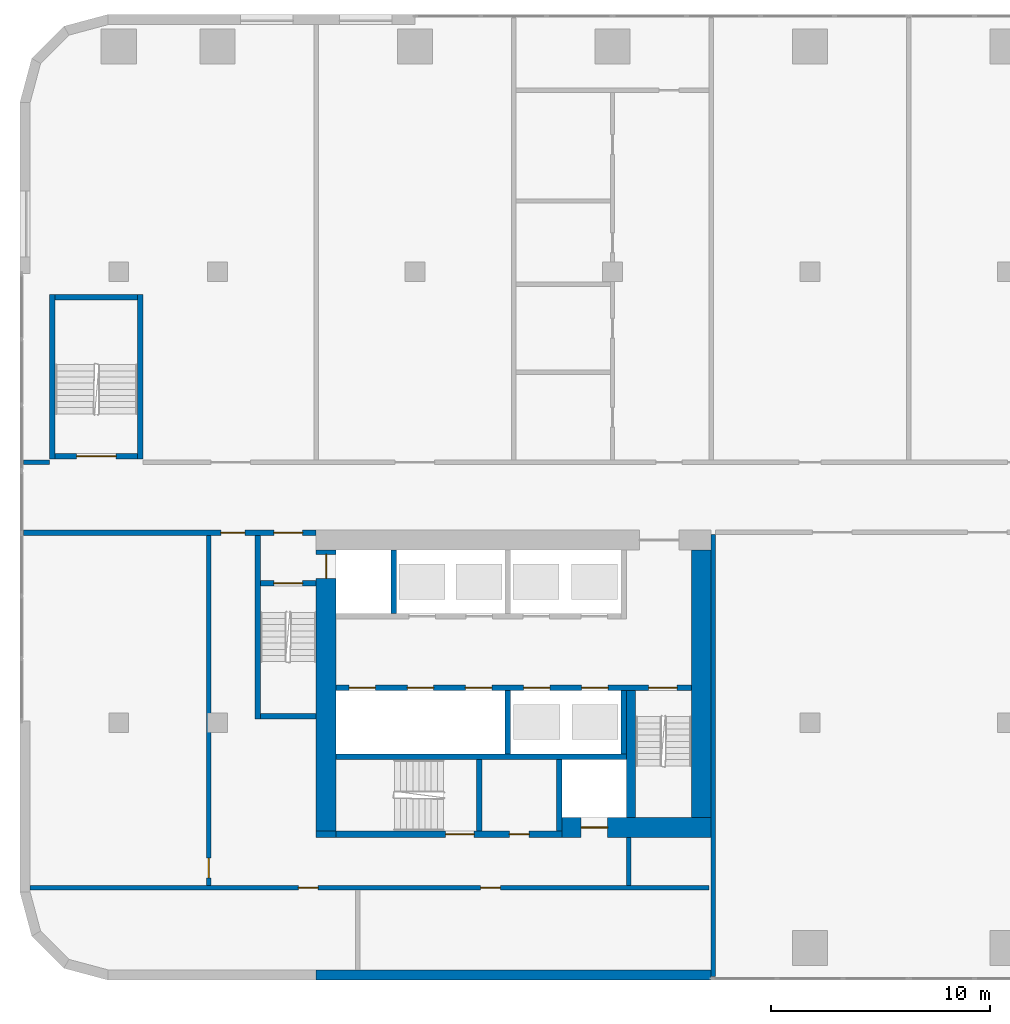
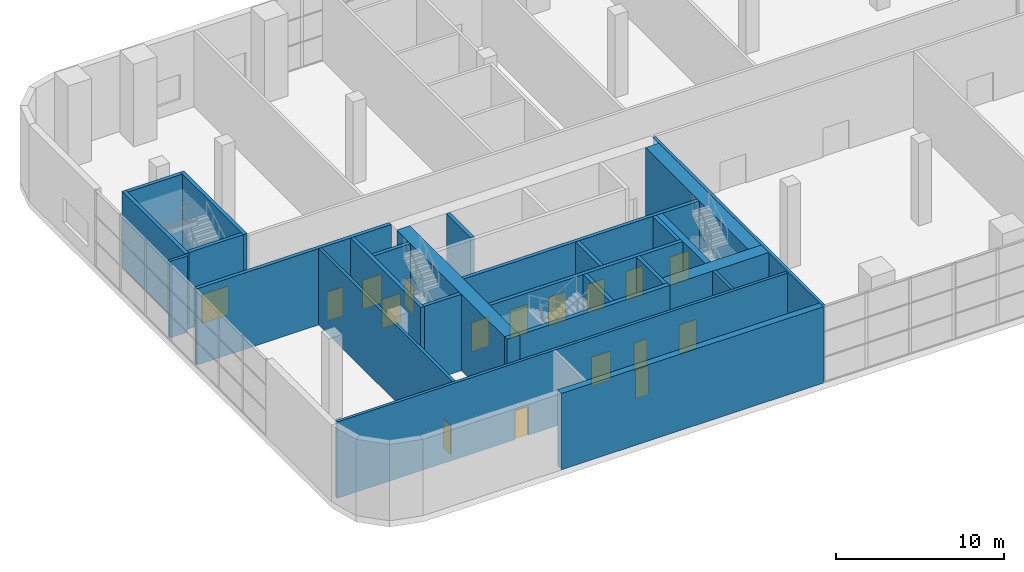
# One storey, part 12 of 27: 27 walls, 17 doors, 17 openings.
"""IFC4 building model written with IfcOpenShell, lengths in metres."""

from ifc_helpers import new_model, si_unit, direction, frame, frame_2d, origin, place, context, subcontext, project, spatial, rectangle, extrude, material, layer, layer_set, type_object, element, fill, save


model = new_model("IFC4")

# Units and contexts
model_context = context("Model", 3, precision=1e-05, world=origin(), true_north=direction((0.0, 1.0)))
body_context = subcontext(model_context, "Body", "Model", "MODEL_VIEW")
ifc_project = project(units=[si_unit("LENGTHUNIT", "METRE"), si_unit("AREAUNIT", "SQUARE_METRE"), si_unit("VOLUMEUNIT", "CUBIC_METRE"), si_unit("PLANEANGLEUNIT", "RADIAN"), si_unit("MASSUNIT", "GRAM", prefix="KILO")], contexts=[model_context])

# Site, building, storey
site_placement = place(None, origin())
site = spatial("IfcSite", under=ifc_project, at=site_placement, CompositionType="ELEMENT")
building_placement = place(site_placement, origin())
building = spatial("IfcBuilding", under=site, at=building_placement, Name="Kajstack Hotel Tower", CompositionType="ELEMENT")
storey_placement = place(building_placement, frame((0.0, 0.0, 11.0)))
storey = spatial("IfcBuildingStorey", under=building, at=storey_placement, Name="L01", CompositionType="ELEMENT", Elevation=11.0)

# Wall, opening, door
ifc_material_1 = material(Name="Concrete C60/75", Category="concrete")
ifc_layer_1 = layer(ifc_material_1, 0.89990234375)
ifc_layer_set_1 = layer_set([ifc_layer_1], Name="Core wall 900")
wall_type_1 = type_object("IfcWallType", Name="Core wall 900", PredefinedType="SHEAR", material=ifc_layer_set_1)
wall_1_placement = place(storey_placement, frame((-20.300048828125, -15.050048828125, 0.0), z_axis=(0.0, 0.0, 1.0), x_axis=(1.0, 0.0, 0.0)))
wall_1 = element("IfcWall", 1, at=wall_1_placement, inside=storey, type_object=wall_type_1, Name="Core wall W RS", PredefinedType="SHEAR", context=body_context, shape_type="SweptSolid", body=[
    extrude(rectangle(XDim=6.800048828125, YDim=0.89990234375, at=frame_2d((3.39990234375, 0.0))), origin(), (0.0, 0.0, 1.0), 5.550048828125),
])
opening_1_placement = place(wall_1_placement, frame((0.875, 0.0, 0.0)))
opening_1 = element("IfcOpeningElement", 2, at=opening_1_placement, cuts=wall_1, Name="Opening LD-SV1", PredefinedType="OPENING", context=body_context, shape_type="SweptSolid", body=[
    extrude(rectangle(XDim=1.199951171875, YDim=2.10009765625, at=frame_2d((0.60009765625, 1.050048828125))), frame((0.0, 0.4599609375, 0.0), z_axis=(0.0, -1.0, 0.0), x_axis=(1.0, 0.0, 0.0)), (0.0, 0.0, 1.0), 0.919921875),
])
ifc_material_2 = material(Name="Stainless steel", Category="steel")
door_type_1 = type_object("IfcDoorType", Name="Lift landing door 1200", OperationType="SLIDING_TO_LEFT", PredefinedType="DOOR", material=ifc_material_2)
door_1_placement = place(opening_1_placement, origin())
door_1 = element("IfcDoor", 3, at=door_1_placement, inside=storey, type_object=door_type_1, Name="Landing door SV1", OperationType="SLIDING_TO_LEFT", OverallHeight=2.10009765625, OverallWidth=1.199951171875, PredefinedType="DOOR", context=body_context, shape_type="SweptSolid", body=[
    extrude(rectangle(XDim=1.199951171875, YDim=2.10009765625, at=frame_2d((0.60009765625, 1.050048828125))), frame((0.0, 0.02490234375, 0.0), z_axis=(0.0, -1.0, 0.0), x_axis=(1.0, 0.0, 0.0)), (0.0, 0.0, 1.0), 0.050048828125),
])
fill(opening_1, door_1)

# Wall
wall_2_placement = place(storey_placement, frame((-31.5, -15.35009765625, 0.0), z_axis=(0.0, 0.0, 1.0), x_axis=(1.0, 0.0, 0.0)))
element("IfcWall", 4, at=wall_2_placement, inside=storey, type_object=wall_type_1, Name="Core wall W RSW", PredefinedType="SHEAR", context=body_context, shape_type="SweptSolid", body=[
    extrude(rectangle(XDim=0.89990234375, YDim=0.300048828125, at=frame_2d((0.449951171875, 0.0))), origin(), (0.0, 0.0, 1.0), 5.550048828125),
])

# Wall, opening, door
wall_3_placement = place(storey_placement, frame((-31.050048828125, -15.199951171875, 0.0), z_axis=(0.0, 0.0, 1.0), x_axis=(0.0, 1.0, 0.0)))
wall_3 = element("IfcWall", 5, at=wall_3_placement, inside=storey, type_object=wall_type_1, Name="Core wall W RW", PredefinedType="SHEAR", context=body_context, shape_type="SweptSolid", body=[
    extrude(rectangle(XDim=12.800048828125, YDim=0.89990234375, at=frame_2d((6.39990234375, 0.0))), origin(), (0.0, 0.0, 1.0), 5.550048828125),
])
opening_2_placement = place(wall_3_placement, frame((11.5, 0.0, 0.0)))
opening_2 = element("IfcOpeningElement", 6, at=opening_2_placement, cuts=wall_3, Name="Opening LD-FF1", PredefinedType="OPENING", context=body_context, shape_type="SweptSolid", body=[
    extrude(rectangle(XDim=1.10009765625, YDim=2.10009765625, at=frame_2d((0.550048828125, 1.050048828125))), frame((0.0, 0.4599609375, 0.0), z_axis=(0.0, -1.0, 0.0), x_axis=(1.0, 0.0, 0.0)), (0.0, 0.0, 1.0), 0.919921875),
])
door_type_2 = type_object("IfcDoorType", Name="Fire-fighting lift landing door 1100", OperationType="SLIDING_TO_LEFT", PredefinedType="DOOR", material=ifc_material_2)
door_2_placement = place(opening_2_placement, origin())
door_2 = element("IfcDoor", 7, at=door_2_placement, inside=storey, type_object=door_type_2, Name="Landing door FF1", OperationType="SLIDING_TO_RIGHT", OverallHeight=2.10009765625, OverallWidth=1.10009765625, PredefinedType="DOOR", context=body_context, shape_type="SweptSolid", body=[
    extrude(rectangle(XDim=1.10009765625, YDim=2.10009765625, at=frame_2d((0.550048828125, 1.050048828125))), frame((0.0, 0.02490234375, 0.0), z_axis=(0.0, -1.0, 0.0), x_axis=(1.0, 0.0, 0.0)), (0.0, 0.0, 1.0), 0.050048828125),
])
fill(opening_2, door_2)

# Walls
wall_4_placement = place(storey_placement, frame((-13.949951171875, -14.60009765625, 0.0), z_axis=(0.0, 0.0, 1.0), x_axis=(0.0, 1.0, 0.0)))
element("IfcWall", 8, at=wall_4_placement, inside=storey, type_object=wall_type_1, Name="Core wall W RE", PredefinedType="SHEAR", context=body_context, shape_type="SweptSolid", body=[
    extrude(rectangle(XDim=12.2001953125, YDim=0.89990234375, at=frame_2d((6.10009765625, 0.0))), origin(), (0.0, 0.0, 1.0), 5.550048828125),
])
ifc_material_3 = material(Name="Concrete C40/50", Category="concrete")
ifc_layer_2 = layer(ifc_material_3, 0.449951171875)
ifc_layer_set_2 = layer_set([ifc_layer_2], Name="EW-CORE")
wall_type_2 = type_object("IfcWallType", Name="EW-CORE", PredefinedType="SOLIDWALL", material=ifc_layer_set_2)
wall_5_placement = place(storey_placement, frame((-31.5, -21.77490234375, 0.0), z_axis=(0.0, 0.0, 1.0), x_axis=(1.0, 0.0, 0.0)))
element("IfcWall", 9, at=wall_5_placement, inside=storey, type_object=wall_type_2, Name="E-wall-L01-03-01", PredefinedType="SOLIDWALL", context=body_context, shape_type="SweptSolid", body=[
    extrude(rectangle(XDim=18.0, YDim=0.449951171875, at=frame_2d((9.0, 0.0))), origin(), (0.0, 0.0, 1.0), 5.550048828125),
])
ifc_material_4 = material(Name="Concrete C50/60", Category="concrete")
ifc_layer_3 = layer(ifc_material_4, 0.300048828125)
ifc_layer_set_3 = layer_set([ifc_layer_3], Name="Hoistway divider wall 300")
wall_type_3 = type_object("IfcWallType", Name="Hoistway divider wall 300", PredefinedType="SHEAR", material=ifc_layer_set_3)
wall_6_placement = place(storey_placement, frame((-22.77490234375, -11.699951171875, 0.0), z_axis=(0.0, 0.0, 1.0), x_axis=(0.0, 1.0, 0.0)))
element("IfcWall", 10, at=wall_6_placement, inside=storey, type_object=wall_type_3, Name="Core wall W BP2", PredefinedType="SHEAR", context=body_context, shape_type="SweptSolid", body=[
    extrude(rectangle(XDim=2.89990234375, YDim=0.25, at=frame_2d((1.449951171875, 0.0))), origin(), (0.0, 0.0, 1.0), 5.550048828125),
])
ifc_material_5 = material(Name="Gypsum board on steel studs, mineral wool", Category="steel")
ifc_layer_4 = layer(ifc_material_5, 0.199951171875)
ifc_layer_set_4 = layer_set([ifc_layer_4], Name="Public partition 200")
wall_type_4 = type_object("IfcWallType", Name="Public partition 200", PredefinedType="PARTITIONING", material=ifc_layer_set_4)
wall_7_placement = place(storey_placement, frame((-44.85009765625, 1.60009765625, 0.0), z_axis=(0.0, 0.0, 1.0), x_axis=(1.0, 0.0, 0.0)))
element("IfcWall", 11, at=wall_7_placement, inside=storey, type_object=wall_type_4, Name="Partition FWW", PredefinedType="PARTITIONING", context=body_context, shape_type="SweptSolid", body=[
    extrude(rectangle(XDim=1.2001953125, YDim=0.199951171875, at=frame_2d((0.60009765625, 0.0))), origin(), (0.0, 0.0, 1.0), 5.550048828125),
])
wall_8_placement = place(storey_placement, frame((-13.39990234375, -21.85009765625, 0.0), z_axis=(0.0, 0.0, 1.0), x_axis=(0.0, 1.0, 0.0)))
element("IfcWall", 12, at=wall_8_placement, inside=storey, type_object=wall_type_4, Name="Partition SEW", PredefinedType="PARTITIONING", context=body_context, shape_type="SweptSolid", body=[
    extrude(rectangle(XDim=20.150146484375, YDim=0.199951171875, at=frame_2d((10.0751953125, 0.0))), origin(), (0.0, 0.0, 1.0), 5.550048828125),
])

# Wall, openings, doors
ifc_layer_5 = layer(ifc_material_5, 0.199951171875)
ifc_layer_set_5 = layer_set([ifc_layer_5], Name="Service partition 200")
wall_type_5 = type_object("IfcWallType", Name="Service partition 200", PredefinedType="PARTITIONING", material=ifc_layer_set_5)
wall_9_placement = place(storey_placement, frame((-44.85009765625, -1.625, 0.0), z_axis=(0.0, 0.0, 1.0), x_axis=(1.0, 0.0, 0.0)))
wall_9 = element("IfcWall", 13, at=wall_9_placement, inside=storey, type_object=wall_type_5, Name="Partition W SN", PredefinedType="PARTITIONING", context=body_context, shape_type="SweptSolid", body=[
    extrude(rectangle(XDim=13.35009765625, YDim=0.25, at=frame_2d((6.675048828125, 0.0))), origin(), (0.0, 0.0, 1.0), 5.550048828125),
])
opening_3_placement = place(wall_9_placement, frame((11.425048828125, 0.0, 0.0)))
opening_3 = element("IfcOpeningElement", 14, at=opening_3_placement, cuts=wall_9, Name="Opening 01W13", PredefinedType="OPENING", context=body_context, shape_type="SweptSolid", body=[
    extrude(rectangle(XDim=1.300048828125, YDim=2.10009765625, at=frame_2d((0.64990234375, 1.050048828125))), frame((0.0, 0.135009765625, 0.0), z_axis=(0.0, -1.0, 0.0), x_axis=(1.0, 0.0, 0.0)), (0.0, 0.0, 1.0), 0.27001953125),
])
opening_4_placement = place(wall_9_placement, frame((9.0, 0.0, 0.0)))
opening_4 = element("IfcOpeningElement", 15, at=opening_4_placement, cuts=wall_9, Name="Opening 01W15", PredefinedType="OPENING", context=body_context, shape_type="SweptSolid", body=[
    extrude(rectangle(XDim=1.10009765625, YDim=2.10009765625, at=frame_2d((0.550048828125, 1.050048828125))), frame((0.0, 0.135009765625, 0.0), z_axis=(0.0, -1.0, 0.0), x_axis=(1.0, 0.0, 0.0)), (0.0, 0.0, 1.0), 0.27001953125),
])
ifc_material_6 = material(Name="Steel leaf, fire-rated", Category="steel")
door_type_3 = type_object("IfcDoorType", Name="Fire lobby door 1300", OperationType="SINGLE_SWING_LEFT", PredefinedType="DOOR", material=ifc_material_6)
door_3_placement = place(opening_3_placement, origin())
door_3 = element("IfcDoor", 16, at=door_3_placement, inside=storey, type_object=door_type_3, Name="Door 01W13", OperationType="SINGLE_SWING_RIGHT", OverallHeight=2.10009765625, OverallWidth=1.300048828125, PredefinedType="DOOR", context=body_context, shape_type="SweptSolid", body=[
    extrude(rectangle(XDim=1.300048828125, YDim=2.10009765625, at=frame_2d((0.64990234375, 1.050048828125))), frame((0.0, 0.02490234375, 0.0), z_axis=(0.0, -1.0, 0.0), x_axis=(1.0, 0.0, 0.0)), (0.0, 0.0, 1.0), 0.050048828125),
])
fill(opening_3, door_3)
ifc_material_7 = material(Name="Timber leaf, fire-rated", Category="wood")
door_type_4 = type_object("IfcDoorType", Name="Service corridor door 1100", OperationType="SINGLE_SWING_LEFT", PredefinedType="DOOR", material=ifc_material_7)
door_4_placement = place(opening_4_placement, origin())
door_4 = element("IfcDoor", 17, at=door_4_placement, inside=storey, type_object=door_type_4, Name="Door 01W15", OperationType="SINGLE_SWING_RIGHT", OverallHeight=2.10009765625, OverallWidth=1.10009765625, PredefinedType="DOOR", context=body_context, shape_type="SweptSolid", body=[
    extrude(rectangle(XDim=1.10009765625, YDim=2.10009765625, at=frame_2d((0.550048828125, 1.050048828125))), frame((0.0, 0.02490234375, 0.0), z_axis=(0.0, -1.0, 0.0), x_axis=(1.0, 0.0, 0.0)), (0.0, 0.0, 1.0), 0.050048828125),
])
fill(opening_4, door_4)

# Wall
wall_10_placement = place(storey_placement, frame((-17.25, -17.699951171875, 0.0), z_axis=(0.0, 0.0, 1.0), x_axis=(0.0, 1.0, 0.0)))
element("IfcWall", 18, at=wall_10_placement, inside=storey, type_object=wall_type_5, Name="Partition W SCE", PredefinedType="PARTITIONING", context=body_context, shape_type="SweptSolid", body=[
    extrude(rectangle(XDim=2.199951171875, YDim=0.199951171875, at=frame_2d((1.10009765625, 0.0))), origin(), (0.0, 0.0, 1.0), 5.550048828125),
])

# Wall, opening, door
wall_11_placement = place(storey_placement, frame((-36.39990234375, -17.699951171875, 0.0), z_axis=(0.0, 0.0, 1.0), x_axis=(0.0, 1.0, 0.0)))
wall_11 = element("IfcWall", 19, at=wall_11_placement, inside=storey, type_object=wall_type_5, Name="Partition W WRE", PredefinedType="PARTITIONING", context=body_context, shape_type="SweptSolid", body=[
    extrude(rectangle(XDim=15.949951171875, YDim=0.199951171875, at=frame_2d((7.97509765625, 0.0))), origin(), (0.0, 0.0, 1.0), 5.550048828125),
])
opening_5_placement = place(wall_11_placement, frame((0.35009765625, 0.0, 0.0)))
opening_5 = element("IfcOpeningElement", 20, at=opening_5_placement, cuts=wall_11, Name="Opening 01W21", PredefinedType="OPENING", context=body_context, shape_type="SweptSolid", body=[
    extrude(rectangle(XDim=0.89990234375, YDim=2.10009765625, at=frame_2d((0.449951171875, 1.050048828125))), frame((0.0, 0.10986328125, 0.0), z_axis=(0.0, -1.0, 0.0), x_axis=(1.0, 0.0, 0.0)), (0.0, 0.0, 1.0), 0.219970703125),
])
door_type_5 = type_object("IfcDoorType", Name="Service door 900", OperationType="SINGLE_SWING_LEFT", PredefinedType="DOOR", material=ifc_material_7)
door_5_placement = place(opening_5_placement, origin())
door_5 = element("IfcDoor", 21, at=door_5_placement, inside=storey, type_object=door_type_5, Name="Door 01W21", OperationType="SINGLE_SWING_LEFT", OverallHeight=2.10009765625, OverallWidth=0.89990234375, PredefinedType="DOOR", context=body_context, shape_type="SweptSolid", body=[
    extrude(rectangle(XDim=0.89990234375, YDim=2.10009765625, at=frame_2d((0.449951171875, 1.050048828125))), frame((0.0, 0.02490234375, 0.0), z_axis=(0.0, -1.0, 0.0), x_axis=(1.0, 0.0, 0.0)), (0.0, 0.0, 1.0), 0.050048828125),
])
fill(opening_5, door_5)

# Wall, openings, doors
wall_12_placement = place(storey_placement, frame((-44.550048828125, -17.800048828125, 0.0), z_axis=(0.0, 0.0, 1.0), x_axis=(1.0, 0.0, 0.0)))
wall_12 = element("IfcWall", 22, at=wall_12_placement, inside=storey, type_object=wall_type_5, Name="Partition W SLN", PredefinedType="PARTITIONING", context=body_context, shape_type="SweptSolid", body=[
    extrude(rectangle(XDim=30.949951171875, YDim=0.199951171875, at=frame_2d((15.47509765625, 0.0))), origin(), (0.0, 0.0, 1.0), 5.550048828125),
])
opening_6_placement = place(wall_12_placement, frame((12.237548828125, 0.0, 0.0)))
opening_6 = element("IfcOpeningElement", 23, at=opening_6_placement, cuts=wall_12, Name="Opening 01W19", PredefinedType="OPENING", context=body_context, shape_type="SweptSolid", body=[
    extrude(rectangle(XDim=0.89990234375, YDim=2.10009765625, at=frame_2d((0.449951171875, 1.050048828125))), frame((0.0, 0.10986328125, 0.0), z_axis=(0.0, -1.0, 0.0), x_axis=(1.0, 0.0, 0.0)), (0.0, 0.0, 1.0), 0.219970703125),
])
opening_7_placement = place(wall_12_placement, frame((20.53759765625, 0.0, 0.0)))
opening_7 = element("IfcOpeningElement", 24, at=opening_7_placement, cuts=wall_12, Name="Opening 01W20", PredefinedType="OPENING", context=body_context, shape_type="SweptSolid", body=[
    extrude(rectangle(XDim=0.89990234375, YDim=2.10009765625, at=frame_2d((0.449951171875, 1.050048828125))), frame((0.0, 0.10986328125, 0.0), z_axis=(0.0, -1.0, 0.0), x_axis=(1.0, 0.0, 0.0)), (0.0, 0.0, 1.0), 0.219970703125),
])
door_6_placement = place(opening_6_placement, origin())
door_6 = element("IfcDoor", 25, at=door_6_placement, inside=storey, type_object=door_type_5, Name="Door 01W19", OperationType="SINGLE_SWING_RIGHT", OverallHeight=2.10009765625, OverallWidth=0.89990234375, PredefinedType="DOOR", context=body_context, shape_type="SweptSolid", body=[
    extrude(rectangle(XDim=0.89990234375, YDim=2.10009765625, at=frame_2d((0.449951171875, 1.050048828125))), frame((0.0, 0.02490234375, 0.0), z_axis=(0.0, -1.0, 0.0), x_axis=(1.0, 0.0, 0.0)), (0.0, 0.0, 1.0), 0.050048828125),
])
fill(opening_6, door_6)
door_7_placement = place(opening_7_placement, origin())
door_7 = element("IfcDoor", 26, at=door_7_placement, inside=storey, type_object=door_type_5, Name="Door 01W20", OperationType="SINGLE_SWING_RIGHT", OverallHeight=2.10009765625, OverallWidth=0.89990234375, PredefinedType="DOOR", context=body_context, shape_type="SweptSolid", body=[
    extrude(rectangle(XDim=0.89990234375, YDim=2.10009765625, at=frame_2d((0.449951171875, 1.050048828125))), frame((0.0, 0.02490234375, 0.0), z_axis=(0.0, -1.0, 0.0), x_axis=(1.0, 0.0, 0.0)), (0.0, 0.0, 1.0), 0.050048828125),
])
fill(opening_7, door_7)

ifc_layer_6 = layer(ifc_material_4, 0.25)
ifc_layer_set_6 = layer_set([ifc_layer_6], Name="Shaft wall 250")
wall_type_6 = type_object("IfcWallType", Name="Shaft wall 250", PredefinedType="SHEAR", material=ifc_layer_set_6)
wall_13_placement = place(storey_placement, frame((-30.60009765625, -15.35009765625, 0.0), z_axis=(0.0, 0.0, 1.0), x_axis=(1.0, 0.0, 0.0)))
wall_13 = element("IfcWall", 27, at=wall_13_placement, inside=storey, type_object=wall_type_6, Name="Core wall W RSS", PredefinedType="SHEAR", context=body_context, shape_type="SweptSolid", body=[
    extrude(rectangle(XDim=10.300048828125, YDim=0.300048828125, at=frame_2d((5.14990234375, 0.0))), origin(), (0.0, 0.0, 1.0), 5.550048828125),
])
opening_8_placement = place(wall_13_placement, frame((5.0, 0.0, 0.0)))
opening_8 = element("IfcOpeningElement", 28, at=opening_8_placement, cuts=wall_13, Name="Opening 01W17", PredefinedType="OPENING", context=body_context, shape_type="SweptSolid", body=[
    extrude(rectangle(XDim=1.300048828125, YDim=2.10009765625, at=frame_2d((0.64990234375, 1.050048828125))), frame((0.0, 0.159912109375, 0.0), z_axis=(0.0, -1.0, 0.0), x_axis=(1.0, 0.0, 0.0)), (0.0, 0.0, 1.0), 0.320068359375),
])
opening_9_placement = place(wall_13_placement, frame((7.89990234375, 0.0, 0.0)))
opening_9 = element("IfcOpeningElement", 29, at=opening_9_placement, cuts=wall_13, Name="Opening 01W18", PredefinedType="OPENING", context=body_context, shape_type="SweptSolid", body=[
    extrude(rectangle(XDim=0.89990234375, YDim=2.10009765625, at=frame_2d((0.449951171875, 1.050048828125))), frame((0.0, 0.159912109375, 0.0), z_axis=(0.0, -1.0, 0.0), x_axis=(1.0, 0.0, 0.0)), (0.0, 0.0, 1.0), 0.320068359375),
])
door_8_placement = place(opening_9_placement, origin())
door_8 = element("IfcDoor", 30, at=door_8_placement, inside=storey, type_object=door_type_5, Name="Door 01W18", OperationType="SINGLE_SWING_LEFT", OverallHeight=2.10009765625, OverallWidth=0.89990234375, PredefinedType="DOOR", context=body_context, shape_type="SweptSolid", body=[
    extrude(rectangle(XDim=0.89990234375, YDim=2.10009765625, at=frame_2d((0.449951171875, 1.050048828125))), frame((0.0, 0.02490234375, 0.0), z_axis=(0.0, -1.0, 0.0), x_axis=(1.0, 0.0, 0.0)), (0.0, 0.0, 1.0), 0.050048828125),
])
fill(opening_9, door_8)
door_type_6 = type_object("IfcDoorType", Name="Stair door 1300", OperationType="SINGLE_SWING_LEFT", PredefinedType="DOOR", material=ifc_material_6)
door_9_placement = place(opening_8_placement, origin())
door_9 = element("IfcDoor", 31, at=door_9_placement, inside=storey, type_object=door_type_6, Name="Door 01W17", OperationType="SINGLE_SWING_RIGHT", OverallHeight=2.10009765625, OverallWidth=1.300048828125, PredefinedType="DOOR", context=body_context, shape_type="SweptSolid", body=[
    extrude(rectangle(XDim=1.300048828125, YDim=2.10009765625, at=frame_2d((0.64990234375, 1.050048828125))), frame((0.0, 0.02490234375, 0.0), z_axis=(0.0, -1.0, 0.0), x_axis=(1.0, 0.0, 0.0)), (0.0, 0.0, 1.0), 0.050048828125),
])
fill(opening_8, door_9)

# Wall
wall_14_placement = place(storey_placement, frame((-27.97509765625, -5.300048828125, 0.0), z_axis=(0.0, 0.0, 1.0), x_axis=(0.0, 1.0, 0.0)))
element("IfcWall", 32, at=wall_14_placement, inside=storey, type_object=wall_type_6, Name="Core wall W AP0", PredefinedType="SHEAR", context=body_context, shape_type="SweptSolid", body=[
    extrude(rectangle(XDim=2.900146484375, YDim=0.25, at=frame_2d((1.4501953125, 0.0))), origin(), (0.0, 0.0, 1.0), 5.550048828125),
])

# Wall, openings, doors
wall_15_placement = place(storey_placement, frame((-30.60009765625, -8.675048828125, 0.0), z_axis=(0.0, 0.0, 1.0), x_axis=(1.0, 0.0, 0.0)))
wall_15 = element("IfcWall", 33, at=wall_15_placement, inside=storey, type_object=wall_type_6, Name="Core wall W FB", PredefinedType="SHEAR", context=body_context, shape_type="SweptSolid", body=[
    extrude(rectangle(XDim=16.2001953125, YDim=0.25, at=frame_2d((8.10009765625, 0.0))), origin(), (0.0, 0.0, 1.0), 5.550048828125),
])
opening_10_placement = place(wall_15_placement, frame((0.60009765625, 0.0, 0.0)))
opening_10 = element("IfcOpeningElement", 34, at=opening_10_placement, cuts=wall_15, Name="Opening LD-LR1", PredefinedType="OPENING", context=body_context, shape_type="SweptSolid", body=[
    extrude(rectangle(XDim=1.199951171875, YDim=2.10009765625, at=frame_2d((0.60009765625, 1.050048828125))), frame((0.0, 0.135009765625, 0.0), z_axis=(0.0, -1.0, 0.0), x_axis=(1.0, 0.0, 0.0)), (0.0, 0.0, 1.0), 0.27001953125),
])
opening_11_placement = place(wall_15_placement, frame((3.25, 0.0, 0.0)))
opening_11 = element("IfcOpeningElement", 35, at=opening_11_placement, cuts=wall_15, Name="Opening LD-LR2", PredefinedType="OPENING", context=body_context, shape_type="SweptSolid", body=[
    extrude(rectangle(XDim=1.199951171875, YDim=2.10009765625, at=frame_2d((0.60009765625, 1.050048828125))), frame((0.0, 0.135009765625, 0.0), z_axis=(0.0, -1.0, 0.0), x_axis=(1.0, 0.0, 0.0)), (0.0, 0.0, 1.0), 0.27001953125),
])
opening_12_placement = place(wall_15_placement, frame((5.89990234375, 0.0, 0.0)))
opening_12 = element("IfcOpeningElement", 36, at=opening_12_placement, cuts=wall_15, Name="Opening LD-LR3", PredefinedType="OPENING", context=body_context, shape_type="SweptSolid", body=[
    extrude(rectangle(XDim=1.199951171875, YDim=2.10009765625, at=frame_2d((0.60009765625, 1.050048828125))), frame((0.0, 0.135009765625, 0.0), z_axis=(0.0, -1.0, 0.0), x_axis=(1.0, 0.0, 0.0)), (0.0, 0.0, 1.0), 0.27001953125),
])
opening_13_placement = place(wall_15_placement, frame((8.550048828125, 0.0, 0.0)))
opening_13 = element("IfcOpeningElement", 37, at=opening_13_placement, cuts=wall_15, Name="Opening LD-MR1", PredefinedType="OPENING", context=body_context, shape_type="SweptSolid", body=[
    extrude(rectangle(XDim=1.199951171875, YDim=2.10009765625, at=frame_2d((0.60009765625, 1.050048828125))), frame((0.0, 0.135009765625, 0.0), z_axis=(0.0, -1.0, 0.0), x_axis=(1.0, 0.0, 0.0)), (0.0, 0.0, 1.0), 0.27001953125),
])
opening_14_placement = place(wall_15_placement, frame((11.199951171875, 0.0, 0.0)))
opening_14 = element("IfcOpeningElement", 38, at=opening_14_placement, cuts=wall_15, Name="Opening LD-MR2", PredefinedType="OPENING", context=body_context, shape_type="SweptSolid", body=[
    extrude(rectangle(XDim=1.199951171875, YDim=2.10009765625, at=frame_2d((0.60009765625, 1.050048828125))), frame((0.0, 0.135009765625, 0.0), z_axis=(0.0, -1.0, 0.0), x_axis=(1.0, 0.0, 0.0)), (0.0, 0.0, 1.0), 0.27001953125),
])
opening_15_placement = place(wall_15_placement, frame((14.25, 0.0, 0.0)))
opening_15 = element("IfcOpeningElement", 39, at=opening_15_placement, cuts=wall_15, Name="Opening 01W16", PredefinedType="OPENING", context=body_context, shape_type="SweptSolid", body=[
    extrude(rectangle(XDim=1.300048828125, YDim=2.10009765625, at=frame_2d((0.64990234375, 1.050048828125))), frame((0.0, 0.135009765625, 0.0), z_axis=(0.0, -1.0, 0.0), x_axis=(1.0, 0.0, 0.0)), (0.0, 0.0, 1.0), 0.27001953125),
])
door_10_placement = place(opening_10_placement, origin())
door_10 = element("IfcDoor", 40, at=door_10_placement, inside=storey, type_object=door_type_1, Name="Landing door LR1", OperationType="SLIDING_TO_LEFT", OverallHeight=2.10009765625, OverallWidth=1.199951171875, PredefinedType="DOOR", context=body_context, shape_type="SweptSolid", body=[
    extrude(rectangle(XDim=1.199951171875, YDim=2.10009765625, at=frame_2d((0.60009765625, 1.050048828125))), frame((0.0, 0.02490234375, 0.0), z_axis=(0.0, -1.0, 0.0), x_axis=(1.0, 0.0, 0.0)), (0.0, 0.0, 1.0), 0.050048828125),
])
fill(opening_10, door_10)
door_11_placement = place(opening_11_placement, origin())
door_11 = element("IfcDoor", 41, at=door_11_placement, inside=storey, type_object=door_type_1, Name="Landing door LR2", OperationType="SLIDING_TO_RIGHT", OverallHeight=2.10009765625, OverallWidth=1.199951171875, PredefinedType="DOOR", context=body_context, shape_type="SweptSolid", body=[
    extrude(rectangle(XDim=1.199951171875, YDim=2.10009765625, at=frame_2d((0.60009765625, 1.050048828125))), frame((0.0, 0.02490234375, 0.0), z_axis=(0.0, -1.0, 0.0), x_axis=(1.0, 0.0, 0.0)), (0.0, 0.0, 1.0), 0.050048828125),
])
fill(opening_11, door_11)
door_12_placement = place(opening_12_placement, origin())
door_12 = element("IfcDoor", 42, at=door_12_placement, inside=storey, type_object=door_type_1, Name="Landing door LR3", OperationType="SLIDING_TO_RIGHT", OverallHeight=2.10009765625, OverallWidth=1.199951171875, PredefinedType="DOOR", context=body_context, shape_type="SweptSolid", body=[
    extrude(rectangle(XDim=1.199951171875, YDim=2.10009765625, at=frame_2d((0.60009765625, 1.050048828125))), frame((0.0, 0.02490234375, 0.0), z_axis=(0.0, -1.0, 0.0), x_axis=(1.0, 0.0, 0.0)), (0.0, 0.0, 1.0), 0.050048828125),
])
fill(opening_12, door_12)
door_13_placement = place(opening_13_placement, origin())
door_13 = element("IfcDoor", 43, at=door_13_placement, inside=storey, type_object=door_type_1, Name="Landing door MR1", OperationType="SLIDING_TO_LEFT", OverallHeight=2.10009765625, OverallWidth=1.199951171875, PredefinedType="DOOR", context=body_context, shape_type="SweptSolid", body=[
    extrude(rectangle(XDim=1.199951171875, YDim=2.10009765625, at=frame_2d((0.60009765625, 1.050048828125))), frame((0.0, 0.02490234375, 0.0), z_axis=(0.0, -1.0, 0.0), x_axis=(1.0, 0.0, 0.0)), (0.0, 0.0, 1.0), 0.050048828125),
])
fill(opening_13, door_13)
door_14_placement = place(opening_14_placement, origin())
door_14 = element("IfcDoor", 44, at=door_14_placement, inside=storey, type_object=door_type_1, Name="Landing door MR2", OperationType="SLIDING_TO_RIGHT", OverallHeight=2.10009765625, OverallWidth=1.199951171875, PredefinedType="DOOR", context=body_context, shape_type="SweptSolid", body=[
    extrude(rectangle(XDim=1.199951171875, YDim=2.10009765625, at=frame_2d((0.60009765625, 1.050048828125))), frame((0.0, 0.02490234375, 0.0), z_axis=(0.0, -1.0, 0.0), x_axis=(1.0, 0.0, 0.0)), (0.0, 0.0, 1.0), 0.050048828125),
])
fill(opening_14, door_14)
door_15_placement = place(opening_15_placement, origin())
door_15 = element("IfcDoor", 45, at=door_15_placement, inside=storey, type_object=door_type_6, Name="Door 01W16", OperationType="SINGLE_SWING_RIGHT", OverallHeight=2.10009765625, OverallWidth=1.300048828125, PredefinedType="DOOR", context=body_context, shape_type="SweptSolid", body=[
    extrude(rectangle(XDim=1.300048828125, YDim=2.10009765625, at=frame_2d((0.64990234375, 1.050048828125))), frame((0.0, 0.02490234375, 0.0), z_axis=(0.0, -1.0, 0.0), x_axis=(1.0, 0.0, 0.0)), (0.0, 0.0, 1.0), 0.050048828125),
])
fill(opening_15, door_15)

# Walls
wall_16_placement = place(storey_placement, frame((-30.60009765625, -11.824951171875, 0.0), z_axis=(0.0, 0.0, 1.0), x_axis=(1.0, 0.0, 0.0)))
element("IfcWall", 46, at=wall_16_placement, inside=storey, type_object=wall_type_6, Name="Core wall W RB", PredefinedType="SHEAR", context=body_context, shape_type="SweptSolid", body=[
    extrude(rectangle(XDim=13.25, YDim=0.25, at=frame_2d((6.625, 0.0))), origin(), (0.0, 0.0, 1.0), 5.550048828125),
])
wall_17_placement = place(storey_placement, frame((-17.47509765625, -11.699951171875, 0.0), z_axis=(0.0, 0.0, 1.0), x_axis=(0.0, 1.0, 0.0)))
element("IfcWall", 47, at=wall_17_placement, inside=storey, type_object=wall_type_6, Name="Core wall W BE", PredefinedType="SHEAR", context=body_context, shape_type="SweptSolid", body=[
    extrude(rectangle(XDim=2.89990234375, YDim=0.25, at=frame_2d((1.449951171875, 0.0))), origin(), (0.0, 0.0, 1.0), 5.550048828125),
])
wall_18_placement = place(storey_placement, frame((-20.425048828125, -15.199951171875, 0.0), z_axis=(0.0, 0.0, 1.0), x_axis=(0.0, 1.0, 0.0)))
element("IfcWall", 48, at=wall_18_placement, inside=storey, type_object=wall_type_6, Name="Core wall W SVW", PredefinedType="SHEAR", context=body_context, shape_type="SweptSolid", body=[
    extrude(rectangle(XDim=3.25, YDim=0.25, at=frame_2d((1.625, 0.0))), origin(), (0.0, 0.0, 1.0), 5.550048828125),
])

# Wall, opening, door
ifc_layer_7 = layer(ifc_material_3, 0.25)
ifc_layer_set_7 = layer_set([ifc_layer_7], Name="Stair enclosure wall 250")
wall_type_7 = type_object("IfcWallType", Name="Stair enclosure wall 250", PredefinedType="SHEAR", material=ifc_layer_set_7)
wall_19_placement = place(storey_placement, frame((-34.050048828125, -3.925048828125, 0.0), z_axis=(0.0, 0.0, 1.0), x_axis=(1.0, 0.0, 0.0)))
wall_19 = element("IfcWall", 49, at=wall_19_placement, inside=storey, type_object=wall_type_7, Name="Core wall W W1N", PredefinedType="SHEAR", context=body_context, shape_type="SweptSolid", body=[
    extrude(rectangle(XDim=2.550048828125, YDim=0.25, at=frame_2d((1.27490234375, 0.0))), origin(), (0.0, 0.0, 1.0), 5.550048828125),
])
opening_16_placement = place(wall_19_placement, frame((0.625, 0.0, 0.0)))
opening_16 = element("IfcOpeningElement", 50, at=opening_16_placement, cuts=wall_19, Name="Opening 01W14", PredefinedType="OPENING", context=body_context, shape_type="SweptSolid", body=[
    extrude(rectangle(XDim=1.300048828125, YDim=2.10009765625, at=frame_2d((0.64990234375, 1.050048828125))), frame((0.0, 0.135009765625, 0.0), z_axis=(0.0, -1.0, 0.0), x_axis=(1.0, 0.0, 0.0)), (0.0, 0.0, 1.0), 0.27001953125),
])
door_16_placement = place(opening_16_placement, origin())
door_16 = element("IfcDoor", 51, at=door_16_placement, inside=storey, type_object=door_type_6, Name="Door 01W14", OperationType="SINGLE_SWING_RIGHT", OverallHeight=2.10009765625, OverallWidth=1.300048828125, PredefinedType="DOOR", context=body_context, shape_type="SweptSolid", body=[
    extrude(rectangle(XDim=1.300048828125, YDim=2.10009765625, at=frame_2d((0.64990234375, 1.050048828125))), frame((0.0, 0.02490234375, 0.0), z_axis=(0.0, -1.0, 0.0), x_axis=(1.0, 0.0, 0.0)), (0.0, 0.0, 1.0), 0.050048828125),
])
fill(opening_16, door_16)

# Walls
wall_20_placement = place(storey_placement, frame((-34.175048828125, -10.10009765625, 0.0), z_axis=(0.0, 0.0, 1.0), x_axis=(0.0, 1.0, 0.0)))
element("IfcWall", 52, at=wall_20_placement, inside=storey, type_object=wall_type_7, Name="Core wall W W1W", PredefinedType="SHEAR", context=body_context, shape_type="SweptSolid", body=[
    extrude(rectangle(XDim=8.35009765625, YDim=0.25, at=frame_2d((4.175048828125, 0.0))), origin(), (0.0, 0.0, 1.0), 5.550048828125),
])
wall_21_placement = place(storey_placement, frame((-34.050048828125, -9.97509765625, 0.0), z_axis=(0.0, 0.0, 1.0), x_axis=(1.0, 0.0, 0.0)))
element("IfcWall", 53, at=wall_21_placement, inside=storey, type_object=wall_type_7, Name="Core wall W W1S", PredefinedType="SHEAR", context=body_context, shape_type="SweptSolid", body=[
    extrude(rectangle(XDim=2.550048828125, YDim=0.25, at=frame_2d((1.27490234375, 0.0))), origin(), (0.0, 0.0, 1.0), 5.550048828125),
])
for number, where, z_axis, x_axis, name in (
    (54, (-43.52490234375, 1.75, 0.0), (0.0, 0.0, 1.0), (0.0, 1.0, 0.0), "Stair wall P1 W"),
    (55, (-39.52490234375, 1.75, 0.0), (0.0, 0.0, 1.0), (0.0, 1.0, 0.0), "Stair wall P1 E"),
):
    element("IfcWall", number, at=place(storey_placement, frame(where, z_axis=z_axis, x_axis=x_axis)), inside=storey, type_object=wall_type_7, Name=name, PredefinedType="SHEAR", context=body_context, shape_type="SweptSolid", body=[
        extrude(rectangle(XDim=7.5, YDim=0.25, at=frame_2d((3.75, 0.0))), origin(), (0.0, 0.0, 1.0), 5.550048828125),
    ])
wall_22_placement = place(storey_placement, frame((-43.39990234375, 9.125, 0.0), z_axis=(0.0, 0.0, 1.0), x_axis=(1.0, 0.0, 0.0)))
element("IfcWall", 56, at=wall_22_placement, inside=storey, type_object=wall_type_7, Name="Stair wall P1 F", PredefinedType="SHEAR", context=body_context, shape_type="SweptSolid", body=[
    extrude(rectangle(XDim=3.75, YDim=0.25, at=frame_2d((1.875, 0.0))), origin(), (0.0, 0.0, 1.0), 5.550048828125),
])

# Wall, opening, door
wall_23_placement = place(storey_placement, frame((-43.39990234375, 1.875, 0.0), z_axis=(0.0, 0.0, 1.0), x_axis=(1.0, 0.0, 0.0)))
wall_23 = element("IfcWall", 57, at=wall_23_placement, inside=storey, type_object=wall_type_7, Name="Stair wall P1 N", PredefinedType="SHEAR", context=body_context, shape_type="SweptSolid", body=[
    extrude(rectangle(XDim=3.75, YDim=0.25, at=frame_2d((1.875, 0.0))), origin(), (0.0, 0.0, 1.0), 5.550048828125),
])
opening_17_placement = place(wall_23_placement, frame((0.97509765625, 0.0, 0.0)))
opening_17 = element("IfcOpeningElement", 58, at=opening_17_placement, cuts=wall_23, Name="Opening 01P1", PredefinedType="OPENING", context=body_context, shape_type="SweptSolid", body=[
    extrude(rectangle(XDim=1.800048828125, YDim=2.10009765625, at=frame_2d((0.89990234375, 1.050048828125))), frame((0.0, 0.135009765625, 0.0), z_axis=(0.0, -1.0, 0.0), x_axis=(1.0, 0.0, 0.0)), (0.0, 0.0, 1.0), 0.27001953125),
])
door_type_7 = type_object("IfcDoorType", Name="Stair door 1800", OperationType="DOUBLE_DOOR_DOUBLE_SWING", PredefinedType="DOOR", material=ifc_material_6)
door_17_placement = place(opening_17_placement, origin())
door_17 = element("IfcDoor", 59, at=door_17_placement, inside=storey, type_object=door_type_7, Name="Door 01P1", OperationType="DOUBLE_DOOR_DOUBLE_SWING", OverallHeight=2.10009765625, OverallWidth=1.800048828125, PredefinedType="DOOR", context=body_context, shape_type="SweptSolid", body=[
    extrude(rectangle(XDim=1.800048828125, YDim=2.10009765625, at=frame_2d((0.89990234375, 1.050048828125))), frame((0.0, 0.02490234375, 0.0), z_axis=(0.0, -1.0, 0.0), x_axis=(1.0, 0.0, 0.0)), (0.0, 0.0, 1.0), 0.050048828125),
])
fill(opening_17, door_17)

# Walls
ifc_layer_8 = layer(ifc_material_4, 0.35009765625)
ifc_layer_set_8 = layer_set([ifc_layer_8], Name="Stair enclosure wall 350")
wall_type_8 = type_object("IfcWallType", Name="Stair enclosure wall 350", PredefinedType="SHEAR", material=ifc_layer_set_8)
wall_24_placement = place(storey_placement, frame((-24.074951171875, -15.199951171875, 0.0), z_axis=(0.0, 0.0, 1.0), x_axis=(0.0, 1.0, 0.0)))
element("IfcWall", 60, at=wall_24_placement, inside=storey, type_object=wall_type_8, Name="Core wall W W3E", PredefinedType="SHEAR", context=body_context, shape_type="SweptSolid", body=[
    extrude(rectangle(XDim=3.25, YDim=0.25, at=frame_2d((1.625, 0.0))), origin(), (0.0, 0.0, 1.0), 5.550048828125),
])
ifc_layer_9 = layer(ifc_material_4, 0.39990234375)
ifc_layer_set_9 = layer_set([ifc_layer_9], Name="Stair wall 400")
wall_type_9 = type_object("IfcWallType", Name="Stair wall 400", PredefinedType="SHEAR", material=ifc_layer_set_9)
wall_25_placement = place(storey_placement, frame((-17.14990234375, -14.60009765625, 0.0), z_axis=(0.0, 0.0, 1.0), x_axis=(0.0, 1.0, 0.0)))
element("IfcWall", 61, at=wall_25_placement, inside=storey, type_object=wall_type_9, Name="Core wall W WW2", PredefinedType="SHEAR", context=body_context, shape_type="SweptSolid", body=[
    extrude(rectangle(XDim=5.800048828125, YDim=0.39990234375, at=frame_2d((2.89990234375, 0.0))), origin(), (0.0, 0.0, 1.0), 5.550048828125),
])

save(model, "model.ifc")
